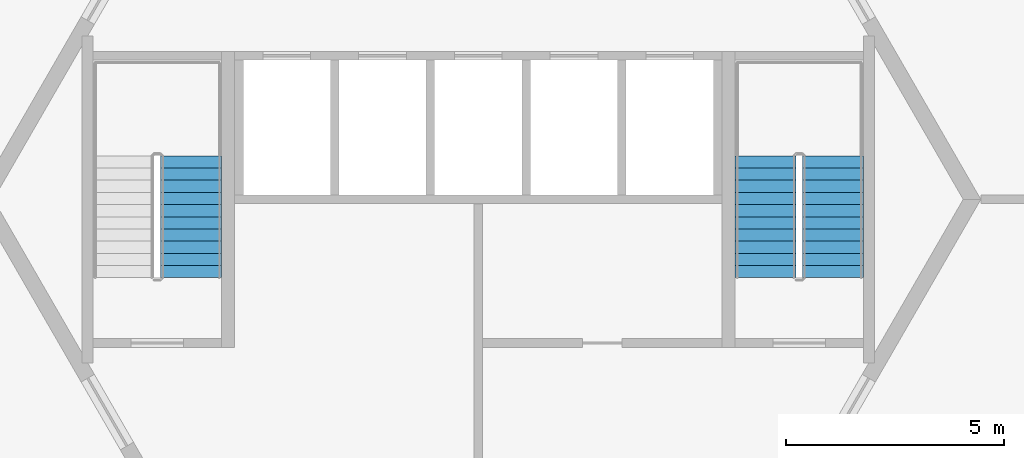
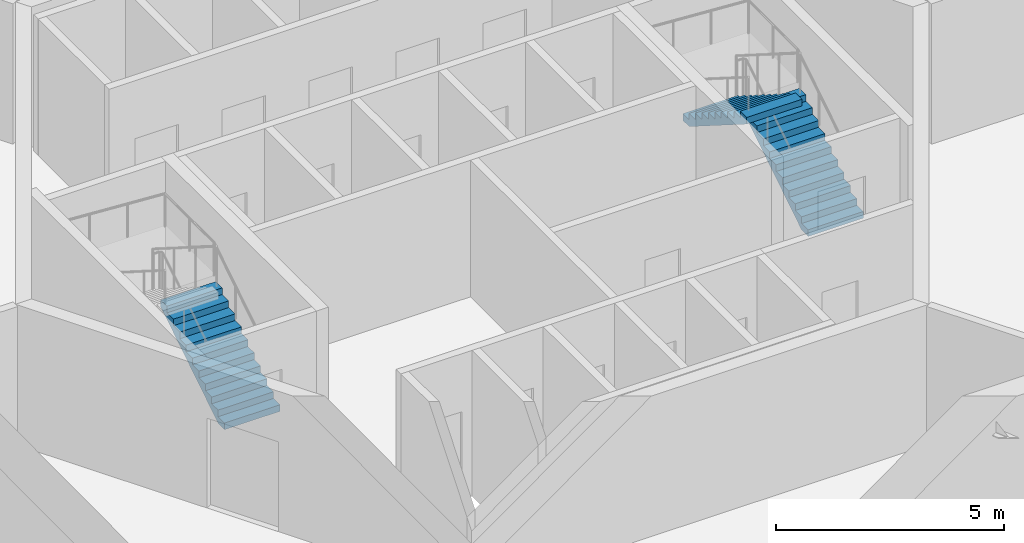
# One storey, part 11 of 12: 3 stair flights, 2 elements without a shape of their own.
"""IFC4 building model written with IfcOpenShell, lengths in metres."""

from ifc_helpers import new_model, si_unit, direction, frame, origin, place, context, subcontext, project, spatial, polyline, outline, extrude, material, type_object, element, aggregate, save


model = new_model("IFC4")

# Units and contexts
model_context = context("Model", 3, precision=1e-05, world=origin(), true_north=direction((0.0, 1.0)))
body_context = subcontext(model_context, "Body", "Model", "MODEL_VIEW")
ifc_project = project(units=[si_unit("LENGTHUNIT", "METRE"), si_unit("AREAUNIT", "SQUARE_METRE"), si_unit("VOLUMEUNIT", "CUBIC_METRE"), si_unit("PLANEANGLEUNIT", "RADIAN"), si_unit("MASSUNIT", "GRAM", prefix="KILO")], contexts=[model_context])

# Site, building, storey
site_placement = place(None, origin())
site = spatial("IfcSite", under=ifc_project, at=site_placement, CompositionType="ELEMENT")
building_placement = place(site_placement, origin())
building = spatial("IfcBuilding", under=site, at=building_placement, Name="Tarnside Tower", CompositionType="ELEMENT")
storey_placement = place(building_placement, frame((0.0, 0.0, 127.199951171875)))
storey = spatial("IfcBuildingStorey", under=building, at=storey_placement, Name="L29", CompositionType="ELEMENT", Elevation=127.199951171875)

# Stair, stair flights
ifc_material = material(Name="Concrete C40/50", Category="concrete")
stair_type = type_object("IfcStairType", Name="Exit stair 1400 clear", PredefinedType="HALF_TURN_STAIR", material=ifc_material)
stair_1_placement = place(storey_placement, origin())
stair_1 = element("IfcStair", 1, at=stair_1_placement, inside=storey, type_object=stair_type, Name="L29 Exit stair 1", PredefinedType="HALF_TURN_STAIR")
stair_flight_type = type_object("IfcStairFlightType", Name="Exit stair flight 1400", PredefinedType="STRAIGHT", material=ifc_material)
stair_flight_1_placement = place(storey_placement, frame((8.14990234375, -1.800048828125, 0.0), z_axis=(0.0, 0.0, 1.0), x_axis=(0.0, 1.0, 0.0)))
stair_flight_1 = element("IfcStairFlight", 2, at=stair_flight_1_placement, type_object=stair_flight_type, Name="ST1 flight 1", NumberOfRisers=11, NumberOfTreads=10, PredefinedType="STRAIGHT", RiserHeight=0.177272727, TreadLength=0.28, context=body_context, shape_type="SweptSolid", body=[
    extrude(outline(polyline([(0.0, 0.0), (0.0, 0.17724609375), (0.280029296875, 0.17724609375), (0.280029296875, 0.3544921875), (0.56005859375, 0.3544921875), (0.56005859375, 0.53173828125), (0.840087890625, 0.53173828125), (0.840087890625, 0.708984375), (1.1201171875, 0.708984375), (1.1201171875, 0.886474609375), (1.39990234375, 0.886474609375), (1.39990234375, 1.063720703125), (1.679931640625, 1.063720703125), (1.679931640625, 1.240966796875), (1.9599609375, 1.240966796875), (1.9599609375, 1.418212890625), (2.239990234375, 1.418212890625), (2.239990234375, 1.595458984375), (2.52001953125, 1.595458984375), (2.52001953125, 1.772705078125), (2.800048828125, 1.772705078125), (2.800048828125, 1.949951171875), (2.800048828125, 1.59521484375), (0.2802734375, 0.0), (0.0, 0.0)])), frame((0.0, 0.699951171875, 0.0), z_axis=(0.0, -1.0, 0.0), x_axis=(1.0, 0.0, 0.0)), (0.0, 0.0, 1.0), 1.39990234375),
])
stair_flight_2_placement = place(storey_placement, frame((6.60009765625, 1.0, 1.949951171875), z_axis=(0.0, 0.0, 1.0), x_axis=(0.0, -1.0, 0.0)))
stair_flight_2 = element("IfcStairFlight", 3, at=stair_flight_2_placement, type_object=stair_flight_type, Name="ST1 flight 2", NumberOfRisers=11, NumberOfTreads=10, PredefinedType="STRAIGHT", RiserHeight=0.177272727, TreadLength=0.28, context=body_context, shape_type="SweptSolid", body=[
    extrude(outline(polyline([(0.0, 0.0), (0.0, 0.17724609375), (0.280029296875, 0.17724609375), (0.280029296875, 0.3544921875), (0.56005859375, 0.3544921875), (0.56005859375, 0.53173828125), (0.840087890625, 0.53173828125), (0.840087890625, 0.708984375), (1.1201171875, 0.708984375), (1.1201171875, 0.886474609375), (1.39990234375, 0.886474609375), (1.39990234375, 1.063720703125), (1.679931640625, 1.063720703125), (1.679931640625, 1.240966796875), (1.9599609375, 1.240966796875), (1.9599609375, 1.418212890625), (2.239990234375, 1.418212890625), (2.239990234375, 1.595458984375), (2.52001953125, 1.595458984375), (2.52001953125, 1.772705078125), (2.800048828125, 1.772705078125), (2.800048828125, 1.949951171875), (2.800048828125, 1.59521484375), (0.2802734375, 0.0), (0.0, 0.0)])), frame((0.0, 0.699951171875, 0.0), z_axis=(0.0, -1.0, 0.0), x_axis=(1.0, 0.0, 0.0)), (0.0, 0.0, 1.0), 1.39990234375),
])
aggregate(stair_1, [stair_flight_1, stair_flight_2])

# Stair, stair flight
stair_2_placement = place(storey_placement, origin())
stair_2 = element("IfcStair", 4, at=stair_2_placement, inside=storey, type_object=stair_type, Name="L29 Exit stair 2", PredefinedType="HALF_TURN_STAIR")
stair_flight_3_placement = place(storey_placement, frame((-6.60009765625, -1.800048828125, 0.0), z_axis=(0.0, 0.0, 1.0), x_axis=(0.0, 1.0, 0.0)))
stair_flight_3 = element("IfcStairFlight", 5, at=stair_flight_3_placement, type_object=stair_flight_type, Name="ST2 flight 1", NumberOfRisers=11, NumberOfTreads=10, PredefinedType="STRAIGHT", RiserHeight=0.177272727, TreadLength=0.28, context=body_context, shape_type="SweptSolid", body=[
    extrude(outline(polyline([(0.0, 0.0), (0.0, 0.17724609375), (0.280029296875, 0.17724609375), (0.280029296875, 0.3544921875), (0.56005859375, 0.3544921875), (0.56005859375, 0.53173828125), (0.840087890625, 0.53173828125), (0.840087890625, 0.708984375), (1.1201171875, 0.708984375), (1.1201171875, 0.886474609375), (1.39990234375, 0.886474609375), (1.39990234375, 1.063720703125), (1.679931640625, 1.063720703125), (1.679931640625, 1.240966796875), (1.9599609375, 1.240966796875), (1.9599609375, 1.418212890625), (2.239990234375, 1.418212890625), (2.239990234375, 1.595458984375), (2.52001953125, 1.595458984375), (2.52001953125, 1.772705078125), (2.800048828125, 1.772705078125), (2.800048828125, 1.949951171875), (2.800048828125, 1.59521484375), (0.2802734375, 0.0), (0.0, 0.0)])), frame((0.0, 0.699951171875, 0.0), z_axis=(0.0, -1.0, 0.0), x_axis=(1.0, 0.0, 0.0)), (0.0, 0.0, 1.0), 1.39990234375),
])
aggregate(stair_2, [stair_flight_3])

save(model, "model.ifc")
